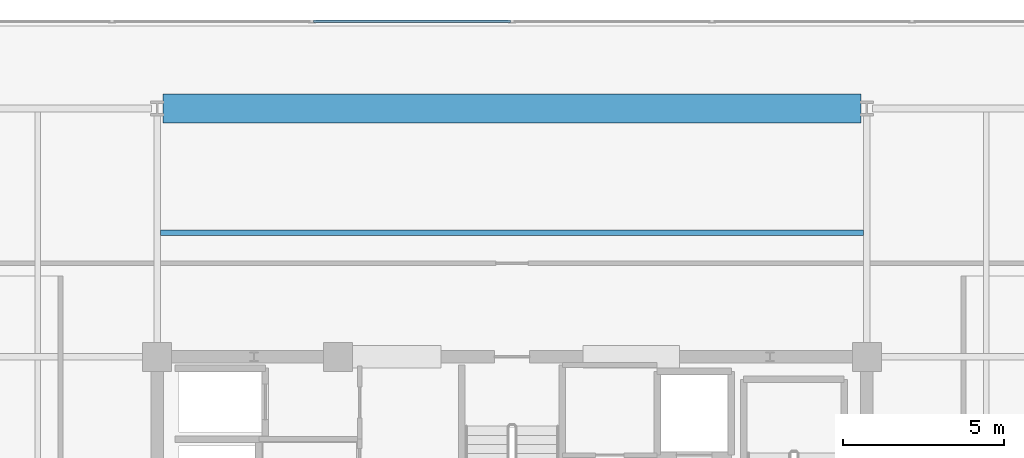
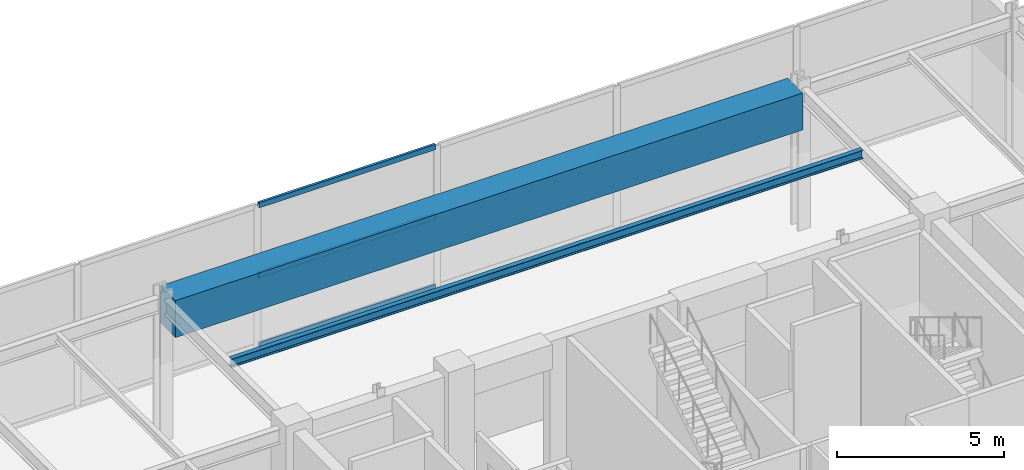
# One storey, part 14 of 24: 3 members, 2 beams, 1 element without a shape of its own.
"""IFC4 building model written with IfcOpenShell, lengths in metres."""

from ifc_helpers import new_model, si_unit, direction, frame, origin, origin_2d, place, context, subcontext, project, spatial, rectangle, hollow_rectangle, i_section, extrude, material, material_profile, profile_set, type_object, element, aggregate, save


model = new_model("IFC4")

# Units and contexts
model_context = context("Model", 3, precision=1e-05, world=origin(), true_north=direction((0.0, 1.0)))
body_context = subcontext(model_context, "Body", "Model", "MODEL_VIEW")
ifc_project = project(units=[si_unit("LENGTHUNIT", "METRE"), si_unit("AREAUNIT", "SQUARE_METRE"), si_unit("VOLUMEUNIT", "CUBIC_METRE"), si_unit("PLANEANGLEUNIT", "RADIAN"), si_unit("MASSUNIT", "GRAM", prefix="KILO")], contexts=[model_context])

# Site, building, storey
site_placement = place(None, origin())
site = spatial("IfcSite", under=ifc_project, at=site_placement, CompositionType="ELEMENT")
building_placement = place(site_placement, origin())
building = spatial("IfcBuilding", under=site, at=building_placement, Name="Kovane Verandah Tower", CompositionType="ELEMENT")
storey_placement = place(building_placement, frame((0.0, 0.0, 348.800048828125)))
storey = spatial("IfcBuildingStorey", under=building, at=storey_placement, Name="L81", CompositionType="ELEMENT", Elevation=348.800048828125)

# Beam
ifc_material_1 = material(Name="Concrete C80/95", Category="concrete")
ifc_material_profile_1 = material_profile(ifc_material_1, rectangle(XDim=0.89990234375, YDim=1.35009765625, at=origin_2d()), Name="RCB900x1350")
ifc_profile_set_1 = profile_set([ifc_material_profile_1], Name="Concrete C80/95")
beam_type_1 = type_object("IfcBeamType", Name="BM-TR-900x1350", PredefinedType="BEAM", material=ifc_profile_set_1)
beam_1_placement = place(storey_placement, frame((29.179931640625, 44.199951171875, 4.52490234375), z_axis=(1.0, 0.0, 0.0), x_axis=(0.0, 1.0, 0.0)))
element("IfcBeam", 1, at=beam_1_placement, inside=storey, type_object=beam_type_1, Name="L81 Primary Tower Girder G-RN2", PredefinedType="BEAM", context=body_context, shape_type="SweptSolid", body=[
    extrude(rectangle(XDim=0.89990234375, YDim=1.35009765625, at=origin_2d()), origin(), (0.0, 0.0, 1.0), 21.64013671875),
])

# Curtain wall, members
ifc_material_2 = material(Name="Champagne Anodised Aluminium Frame with Low-E Clear Laminated Glass", Category="aluminium")
curtain_wall_type = type_object("IfcCurtainWallType", Name="CW-SYS-06-CROWN", PredefinedType="NOTDEFINED", material=ifc_material_2)
curtain_wall_placement = place(storey_placement, origin())
curtain_wall = element("IfcCurtainWall", 2, at=curtain_wall_placement, inside=storey, type_object=curtain_wall_type, Name="L81 N Unitised Curtain Wall", PredefinedType="NOTDEFINED")
ifc_material_3 = material(Name="Champagne Anodised Aluminium 6063-T6", Category="aluminium")
ifc_material_profile_2 = material_profile(ifc_material_3, hollow_rectangle(XDim=0.0849609375, YDim=0.18994140625, WallThickness=0.00390625, at=origin_2d()), Name="AL85x190x4")
ifc_profile_set_2 = profile_set([ifc_material_profile_2], Name="Champagne Anodised Aluminium 6063-T6")
member_type = type_object("IfcMemberType", Name="CW-TRN-85x190", PredefinedType="USERDEFINED", material=ifc_profile_set_2)
member_1_placement = place(storey_placement, frame((39.949951171875, 46.89990234375, 0.050048828125), z_axis=(-1.0, 0.0, 0.0), x_axis=(0.0, -1.0, 0.0)))
member_1 = element("IfcMember", 3, at=member_1_placement, type_object=member_type, Name="L81 N Unitised Curtain Wall Transom TB Bay 4", ObjectType="TRANSOM", PredefinedType="USERDEFINED", context=body_context, shape_type="SweptSolid", body=[
    extrude(hollow_rectangle(XDim=0.0849609375, YDim=0.18994140625, WallThickness=0.00390625, at=origin_2d()), origin(), (0.0, 0.0, 1.0), 6.099853515625),
])
member_2_placement = place(storey_placement, frame((39.949951171875, 46.89990234375, 2.599853515625), z_axis=(-1.0, 0.0, 0.0), x_axis=(0.0, -1.0, 0.0)))
member_2 = element("IfcMember", 4, at=member_2_placement, type_object=member_type, Name="L81 N Unitised Curtain Wall Transom TM Bay 4", ObjectType="TRANSOM", PredefinedType="USERDEFINED", context=body_context, shape_type="SweptSolid", body=[
    extrude(hollow_rectangle(XDim=0.0849609375, YDim=0.18994140625, WallThickness=0.00390625, at=origin_2d()), origin(), (0.0, 0.0, 1.0), 6.099853515625),
])
member_3_placement = place(storey_placement, frame((39.949951171875, 46.89990234375, 5.14990234375), z_axis=(-1.0, 0.0, 0.0), x_axis=(0.0, -1.0, 0.0)))
member_3 = element("IfcMember", 5, at=member_3_placement, type_object=member_type, Name="L81 N Unitised Curtain Wall Transom TT Bay 4", ObjectType="TRANSOM", PredefinedType="USERDEFINED", context=body_context, shape_type="SweptSolid", body=[
    extrude(hollow_rectangle(XDim=0.0849609375, YDim=0.18994140625, WallThickness=0.00390625, at=origin_2d()), origin(), (0.0, 0.0, 1.0), 6.099853515625),
])
aggregate(curtain_wall, [member_1, member_2, member_3])

# Beam
ifc_material_4 = material(Name="Steel S355", Category="steel")
ifc_material_profile_3 = material_profile(ifc_material_4, i_section(OverallWidth=0.1669921875, OverallDepth=0.310302734375, WebThickness=0.0078125, FlangeThickness=0.013671875, FilletRadius=0.0087890625, at=origin_2d()), Name="UB305x165x54")
ifc_profile_set_3 = profile_set([ifc_material_profile_3], Name="Steel S355")
beam_type_2 = type_object("IfcBeamType", Name="JST-UB305x54", PredefinedType="JOIST", material=ifc_profile_set_3)
beam_2_placement = place(storey_placement, frame((29.10400390625, 40.35009765625, 5.044677734375), z_axis=(1.0, 0.0, 0.0), x_axis=(0.0, 1.0, 0.0)))
element("IfcBeam", 6, at=beam_2_placement, inside=storey, type_object=beam_type_2, Name="L81 Secondary Composite Joist J-N1", PredefinedType="JOIST", context=body_context, shape_type="SweptSolid", body=[
    extrude(i_section(OverallWidth=0.1669921875, OverallDepth=0.310302734375, WebThickness=0.0078125, FlangeThickness=0.013671875, FilletRadius=0.0087890625, at=origin_2d()), origin(), (0.0, 0.0, 1.0), 21.7919921875),
])

save(model, "model.ifc")
